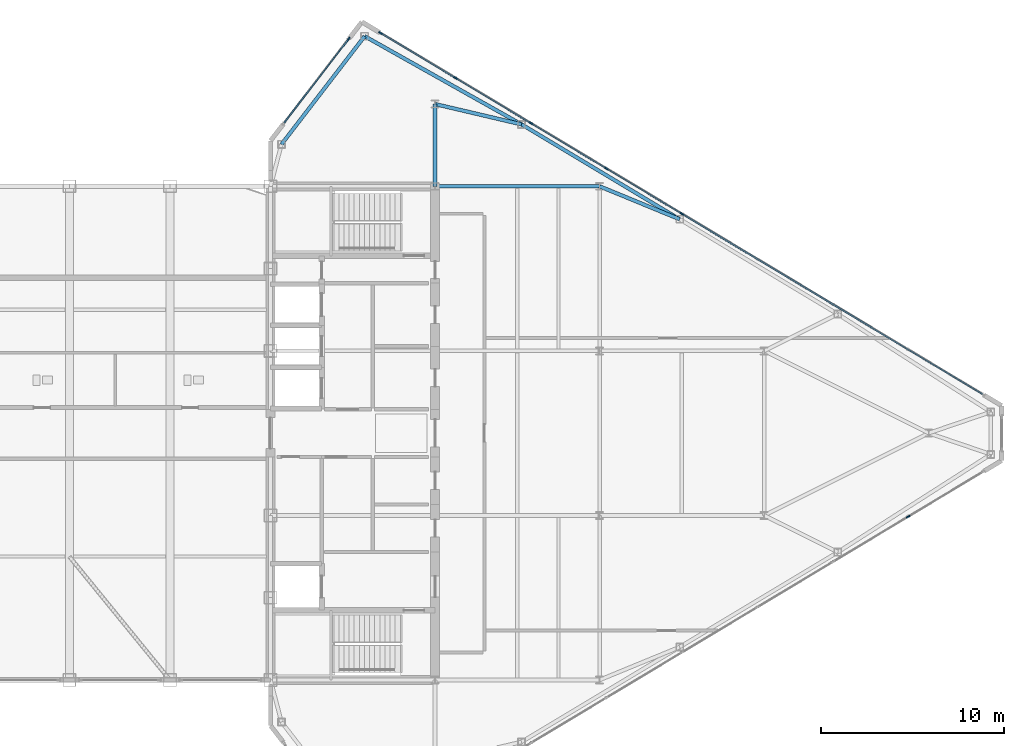
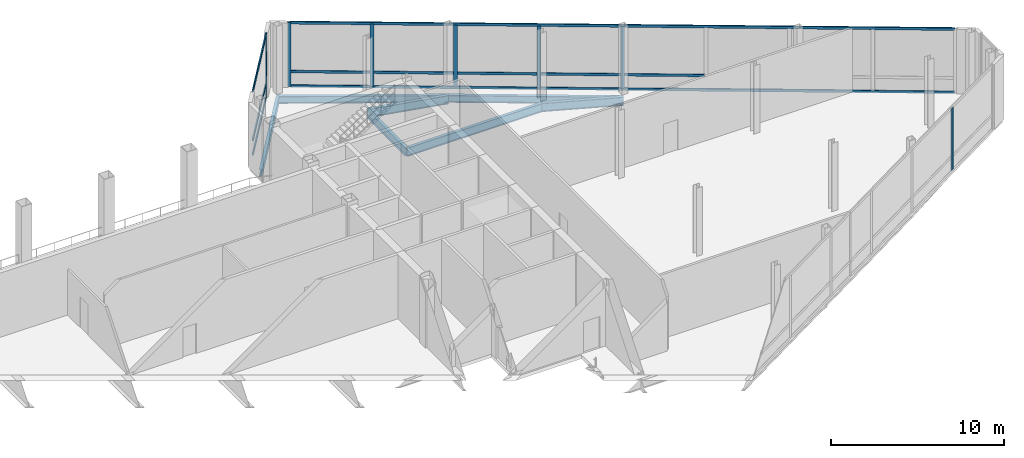
# One storey, part 17 of 28: 17 members, 7 beams, 3 elements without a shape of their own.
"""IFC4 building model written with IfcOpenShell, lengths in metres."""

from ifc_helpers import new_model, si_unit, direction, frame, origin, origin_2d, place, context, subcontext, project, spatial, rectangle, i_section, extrude, source, transform, mapped, material, layer, layer_set, material_profile, profile_set, type_object, type_shapes, element, aggregate, save


model = new_model("IFC4")

# Units and contexts
model_context = context("Model", 3, precision=1e-05, world=origin(), true_north=direction((0.0, 1.0)))
body_context = subcontext(model_context, "Body", "Model", "MODEL_VIEW")
ifc_project = project(units=[si_unit("LENGTHUNIT", "METRE"), si_unit("AREAUNIT", "SQUARE_METRE"), si_unit("VOLUMEUNIT", "CUBIC_METRE"), si_unit("PLANEANGLEUNIT", "RADIAN"), si_unit("MASSUNIT", "GRAM", prefix="KILO")], contexts=[model_context])

# Site, building, storey
site_placement = place(None, origin())
site = spatial("IfcSite", under=ifc_project, at=site_placement, CompositionType="ELEMENT")
building_placement = place(site_placement, origin())
building = spatial("IfcBuilding", under=site, at=building_placement, Name="Seokmaru Belvedere", CompositionType="ELEMENT")
storey_placement = place(building_placement, frame((0.0, 0.0, 274.199951171875)))
storey = spatial("IfcBuildingStorey", under=building, at=storey_placement, Name="L72", CompositionType="ELEMENT", Elevation=274.199951171875)

# Beams
ifc_material_1 = material(Name="Steel SM355 (355 MPa)", Category="steel")
ifc_material_profile_1 = material_profile(ifc_material_1, i_section(OverallWidth=0.199951171875, OverallDepth=0.60009765625, WebThickness=0.010986328125, FlangeThickness=0.01708984375, at=origin_2d()), Name="H-600x200x11x17")
ifc_profile_set_1 = profile_set([ifc_material_profile_1], Name="Steel SM355 (355 MPa)")
beam_type_1 = type_object("IfcBeamType", Name="Primary Floor Girder H-600", PredefinedType="BEAM", material=ifc_profile_set_1)
shared_shape_1 = source(origin(), body_context, "Body", "SweptSolid", [
    extrude(i_section(OverallWidth=0.199951171875, OverallDepth=0.60009765625, WebThickness=0.010986328125, FlangeThickness=0.01708984375, at=origin_2d()), origin(), (0.0, 0.0, 1.0), 9.0),
])
beam_1_placement = place(storey_placement, frame((36.5, 13.5, -0.56005859375), z_axis=(1.0, 0.0, 0.0), x_axis=(0.0, 1.0, 0.0)))
element("IfcBeam", 1, at=beam_1_placement, inside=storey, type_object=beam_type_1, Name="L72 E Wing Primary Girder 4", PredefinedType="BEAM", context=body_context, shape_type="MappedRepresentation", body=[
    mapped(shared_shape_1, transform((0.0, 0.0, 0.0), scale=1.0)),
])
shared_shape_2 = source(origin(), body_context, "Body", "SweptSolid", [
    extrude(i_section(OverallWidth=0.199951171875, OverallDepth=0.60009765625, WebThickness=0.010986328125, FlangeThickness=0.01708984375, at=origin_2d()), origin(), (0.0, 0.0, 1.0), 4.5),
])
beam_2_placement = place(storey_placement, frame((36.5, 13.5, -0.56005859375), z_axis=(0.0, 1.0, 0.0), x_axis=(-1.0, 0.0, 0.0)))
element("IfcBeam", 2, at=beam_2_placement, inside=storey, type_object=beam_type_1, Name="L72 E Core Shoulder Girder N", PredefinedType="BEAM", context=body_context, shape_type="MappedRepresentation", body=[
    mapped(shared_shape_2, transform((0.0, 0.0, 0.0), scale=1.0)),
])
ifc_material_profile_2 = material_profile(ifc_material_1, i_section(OverallWidth=0.199951171875, OverallDepth=0.5, WebThickness=0.010009765625, FlangeThickness=0.01611328125, at=origin_2d()), Name="H-500x200x10x16")
ifc_profile_set_2 = profile_set([ifc_material_profile_2], Name="Steel SM355 (355 MPa)")
beam_type_2 = type_object("IfcBeamType", Name="Perimeter Spandrel Beam H-500", PredefinedType="SPANDREL", material=ifc_profile_set_2)
shared_shape_3 = source(origin(), body_context, "Body", "SweptSolid", [
    extrude(i_section(OverallWidth=0.199951171875, OverallDepth=0.5, WebThickness=0.010009765625, FlangeThickness=0.01611328125, at=origin_2d()), origin(), (0.0, 0.0, 1.0), 9.842041015625),
])
beam_3_placement = place(storey_placement, frame((32.649658203125, 21.71044921875, -0.510009765625), z_axis=(0.871782151818, -0.489893743349, 0.0), x_axis=(0.489893743349, 0.871782151818, 0.0)))
element("IfcBeam", 3, at=beam_3_placement, inside=storey, type_object=beam_type_2, Name="L72 E Faceted Flank Spandrel N-1", PredefinedType="SPANDREL", context=body_context, shape_type="MappedRepresentation", body=[
    mapped(shared_shape_3, transform((0.0, 0.0, 0.0), scale=1.0)),
])
shared_shape_4 = source(origin(), body_context, "Body", "SweptSolid", [
    extrude(i_section(OverallWidth=0.199951171875, OverallDepth=0.5, WebThickness=0.010009765625, FlangeThickness=0.01611328125, at=origin_2d()), origin(), (0.0, 0.0, 1.0), 10.087646484375),
])
beam_4_placement = place(storey_placement, frame((41.229736328125, 16.888916015625, -0.510009765625), z_axis=(0.857499332045, -0.514485078056, 0.0), x_axis=(0.514485078056, 0.857499332045, 0.0)))
element("IfcBeam", 4, at=beam_4_placement, inside=storey, type_object=beam_type_2, Name="L72 E Faceted Flank Spandrel N-2", PredefinedType="SPANDREL", context=body_context, shape_type="MappedRepresentation", body=[
    mapped(shared_shape_4, transform((0.0, 0.0, 0.0), scale=1.0)),
])
shared_shape_5 = source(origin(), body_context, "Body", "SweptSolid", [
    extrude(i_section(OverallWidth=0.199951171875, OverallDepth=0.5, WebThickness=0.010009765625, FlangeThickness=0.01611328125, at=origin_2d()), origin(), (0.0, 0.0, 1.0), 7.4619140625),
])
type_shapes(beam_type_2, [shared_shape_3, shared_shape_4, shared_shape_5])
beam_5_placement = place(storey_placement, frame((32.649658203125, 21.71044921875, -0.510009765625), z_axis=(-0.609702854945, -0.792630070507, 0.0), x_axis=(0.792630070507, -0.609702854945, 0.0)))
element("IfcBeam", 5, at=beam_5_placement, inside=storey, type_object=beam_type_2, Name="L72 E Shoulder Chamfer Spandrel N", PredefinedType="SPANDREL", context=body_context, shape_type="MappedRepresentation", body=[
    mapped(shared_shape_5, transform((0.0, 0.0, 0.0), scale=1.0)),
])
shared_shape_6 = source(origin(), body_context, "Body", "SweptSolid", [
    extrude(i_section(OverallWidth=0.199951171875, OverallDepth=0.60009765625, WebThickness=0.010986328125, FlangeThickness=0.01708984375, at=origin_2d()), origin(), (0.0, 0.0, 1.0), 4.8583984375),
])
beam_6_placement = place(storey_placement, frame((41.229736328125, 16.888916015625, -0.56005859375), z_axis=(-0.97349948295, 0.228689214211, 0.0), x_axis=(-0.228689214211, -0.97349948295, 0.0)))
element("IfcBeam", 6, at=beam_6_placement, inside=storey, type_object=beam_type_1, Name="L72 E Flank Radial Floor Girder N-1", PredefinedType="BEAM", context=body_context, shape_type="MappedRepresentation", body=[
    mapped(shared_shape_6, transform((0.0, 0.0, 0.0), scale=1.0)),
])
shared_shape_7 = source(origin(), body_context, "Body", "SweptSolid", [
    extrude(i_section(OverallWidth=0.199951171875, OverallDepth=0.60009765625, WebThickness=0.010986328125, FlangeThickness=0.01708984375, at=origin_2d()), origin(), (0.0, 0.0, 1.0), 4.73583984375),
])
type_shapes(beam_type_1, [shared_shape_1, shared_shape_2, shared_shape_6, shared_shape_7])
beam_7_placement = place(storey_placement, frame((49.8798828125, 11.698974609375, -0.56005859375), z_axis=(-0.924860562953, 0.380306375301, 0.0), x_axis=(-0.380306375301, -0.924860562953, 0.0)))
element("IfcBeam", 7, at=beam_7_placement, inside=storey, type_object=beam_type_1, Name="L72 E Flank Radial Floor Girder N-2", PredefinedType="BEAM", context=body_context, shape_type="MappedRepresentation", body=[
    mapped(shared_shape_7, transform((0.0, 0.0, 0.0), scale=1.0)),
])

# Curtain wall, members
ifc_material_2 = material(Name="Bronze Triple Insulating Glass", Category="glass")
ifc_layer = layer(ifc_material_2, 0.219970703125)
ifc_layer_set = layer_set([ifc_layer], Name="Bronze Triple Insulating Glass")
curtain_wall_type = type_object("IfcCurtainWallType", Name="Sky-Gate Bridge Panorama Curtain Wall System CW-6", PredefinedType="NOTDEFINED", material=ifc_layer_set)
curtain_wall_1_placement = place(storey_placement, origin())
curtain_wall_1 = element("IfcCurtainWall", 8, at=curtain_wall_1_placement, inside=storey, type_object=curtain_wall_type, Name="L72 Curtain Wall EF4", PredefinedType="NOTDEFINED")
ifc_material_3 = material(Name="Anodised Bronze Aluminium", Category="aluminium")
ifc_material_profile_3 = material_profile(ifc_material_3, rectangle(XDim=0.074951171875, YDim=0.179931640625, at=origin_2d()), Name="CW-T-75x180")
ifc_profile_set_3 = profile_set([ifc_material_profile_3], Name="Anodised Bronze Aluminium")
member_type_1 = type_object("IfcMemberType", Name="Bronze Unitised Transom 75x180", PredefinedType="USERDEFINED", material=ifc_profile_set_3)
shared_shape_8 = source(origin(), body_context, "Body", "SweptSolid", [
    extrude(rectangle(XDim=0.074951171875, YDim=0.179931640625, at=origin_2d()), origin(), (0.0, 0.0, 1.0), 5.74072265625),
])
member_1_placement = place(storey_placement, frame((31.75, 21.525146484375, 0.03759765625), z_axis=(-0.609686097287, -0.792642960465, 0.0), x_axis=(0.792642960465, -0.609686097287, 0.0)))
member_1 = element("IfcMember", 9, at=member_1_placement, type_object=member_type_1, Name="CW:L72:EF4 Continuous Transom 1", ObjectType="TRANSOM", PredefinedType="USERDEFINED", context=body_context, shape_type="MappedRepresentation", body=[
    mapped(shared_shape_8, transform((0.0, 0.0, 0.0), scale=1.0)),
])
member_2_placement = place(storey_placement, frame((31.75, 21.525146484375, 4.482666015625), z_axis=(-0.609686097287, -0.792642960465, 0.0), x_axis=(0.792642960465, -0.609686097287, 0.0)))
member_2 = element("IfcMember", 10, at=member_2_placement, type_object=member_type_1, Name="CW:L72:EF4 Continuous Transom 2", ObjectType="TRANSOM", PredefinedType="USERDEFINED", context=body_context, shape_type="MappedRepresentation", body=[
    mapped(shared_shape_8, transform((0.0, 0.0, 0.0), scale=1.0)),
])
member_3_placement = place(storey_placement, frame((31.75, 21.525146484375, 1.050048828125), z_axis=(-0.609686097287, -0.792642960465, 0.0), x_axis=(0.792642960465, -0.609686097287, 0.0)))
member_3 = element("IfcMember", 11, at=member_3_placement, type_object=member_type_1, Name="CW:L72:EF4 Spandrel Transom 1", ObjectType="TRANSOM", PredefinedType="USERDEFINED", context=body_context, shape_type="MappedRepresentation", body=[
    mapped(shared_shape_8, transform((0.0, 0.0, 0.0), scale=1.0)),
])

curtain_wall_2_placement = place(storey_placement, origin())
curtain_wall_2 = element("IfcCurtainWall", 12, at=curtain_wall_2_placement, inside=storey, type_object=curtain_wall_type, Name="L72 Curtain Wall EF3", PredefinedType="NOTDEFINED")
shared_shape_9 = source(origin(), body_context, "Body", "SweptSolid", [
    extrude(rectangle(XDim=0.074951171875, YDim=0.179931640625, at=origin_2d()), origin(), (0.0, 0.0, 1.0), 38.356689453125),
])
member_4_placement = place(storey_placement, frame((66.4453125, 2.1328125, 0.03759765625), z_axis=(-0.857492925713, 0.514495755428, 0.0), x_axis=(-0.514495755428, -0.857492925713, 0.0)))
member_4 = element("IfcMember", 13, at=member_4_placement, type_object=member_type_1, Name="CW:L72:EF3 Continuous Transom 1", ObjectType="TRANSOM", PredefinedType="USERDEFINED", context=body_context, shape_type="MappedRepresentation", body=[
    mapped(shared_shape_9, transform((0.0, 0.0, 0.0), scale=1.0)),
])
member_5_placement = place(storey_placement, frame((66.4453125, 2.1328125, 4.482666015625), z_axis=(-0.857492925713, 0.514495755428, 0.0), x_axis=(-0.514495755428, -0.857492925713, 0.0)))
member_5 = element("IfcMember", 14, at=member_5_placement, type_object=member_type_1, Name="CW:L72:EF3 Continuous Transom 2", ObjectType="TRANSOM", PredefinedType="USERDEFINED", context=body_context, shape_type="MappedRepresentation", body=[
    mapped(shared_shape_9, transform((0.0, 0.0, 0.0), scale=1.0)),
])
shared_shape_10 = source(origin(), body_context, "Body", "SweptSolid", [
    extrude(rectangle(XDim=0.074951171875, YDim=0.179931640625, at=origin_2d()), origin(), (0.0, 0.0, 1.0), 4.694580078125),
])
member_6_placement = place(storey_placement, frame((37.580322265625, 19.451904296875, 1.050048828125), z_axis=(-0.85750210284, 0.514480459906, 0.0), x_axis=(-0.514480459906, -0.85750210284, 0.0)))
member_6 = element("IfcMember", 15, at=member_6_placement, type_object=member_type_1, Name="CW:L72:EF3 Spandrel Transom 8", ObjectType="TRANSOM", PredefinedType="USERDEFINED", context=body_context, shape_type="MappedRepresentation", body=[
    mapped(shared_shape_10, transform((0.0, 0.0, 0.0), scale=1.0)),
])
shared_shape_11 = source(origin(), body_context, "Body", "SweptSolid", [
    extrude(rectangle(XDim=0.074951171875, YDim=0.179931640625, at=origin_2d()), origin(), (0.0, 0.0, 1.0), 4.734619140625),
])
member_7_placement = place(storey_placement, frame((41.708740234375, 16.974609375, 1.050048828125), z_axis=(-0.857479275774, 0.514518504641, 0.0), x_axis=(-0.514518504641, -0.857479275774, 0.0)))
member_7 = element("IfcMember", 16, at=member_7_placement, type_object=member_type_1, Name="CW:L72:EF3 Spandrel Transom 7", ObjectType="TRANSOM", PredefinedType="USERDEFINED", context=body_context, shape_type="MappedRepresentation", body=[
    mapped(shared_shape_11, transform((0.0, 0.0, 0.0), scale=1.0)),
])
shared_shape_12 = source(origin(), body_context, "Body", "SweptSolid", [
    extrude(rectangle(XDim=0.074951171875, YDim=0.179931640625, at=origin_2d()), origin(), (0.0, 0.0, 1.0), 4.734375),
])
member_8_placement = place(storey_placement, frame((45.837158203125, 14.497802734375, 1.050048828125), z_axis=(-0.857502025578, 0.514480588682, 0.0), x_axis=(-0.514480588682, -0.857502025578, 0.0)))
member_8 = element("IfcMember", 17, at=member_8_placement, type_object=member_type_1, Name="CW:L72:EF3 Spandrel Transom 6", ObjectType="TRANSOM", PredefinedType="USERDEFINED", context=body_context, shape_type="MappedRepresentation", body=[
    mapped(shared_shape_12, transform((0.0, 0.0, 0.0), scale=1.0)),
])
shared_shape_13 = source(origin(), body_context, "Body", "SweptSolid", [
    extrude(rectangle(XDim=0.074951171875, YDim=0.179931640625, at=origin_2d()), origin(), (0.0, 0.0, 1.0), 4.73486328125),
])
type_shapes(member_type_1, [shared_shape_8, shared_shape_9, shared_shape_10, shared_shape_11, shared_shape_12, shared_shape_13])
member_9_placement = place(storey_placement, frame((54.09423828125, 9.54345703125, 1.050048828125), z_axis=(-0.857492925713, 0.514495755428, 0.0), x_axis=(-0.514495755428, -0.857492925713, 0.0)))
member_9 = element("IfcMember", 18, at=member_9_placement, type_object=member_type_1, Name="CW:L72:EF3 Spandrel Transom 4", ObjectType="TRANSOM", PredefinedType="USERDEFINED", context=body_context, shape_type="MappedRepresentation", body=[
    mapped(shared_shape_13, transform((0.0, 0.0, 0.0), scale=1.0)),
])
member_10_placement = place(storey_placement, frame((49.9658203125, 12.0205078125, 1.050048828125), z_axis=(-0.857492925713, 0.514495755428, 0.0), x_axis=(-0.514495755428, -0.857492925713, 0.0)))
member_10 = element("IfcMember", 19, at=member_10_placement, type_object=member_type_1, Name="CW:L72:EF3 Spandrel Transom 5", ObjectType="TRANSOM", PredefinedType="USERDEFINED", context=body_context, shape_type="MappedRepresentation", body=[
    mapped(shared_shape_13, transform((0.0, 0.0, 0.0), scale=1.0)),
])
ifc_material_profile_4 = material_profile(ifc_material_3, rectangle(XDim=0.080078125, YDim=0.219970703125, at=origin_2d()), Name="CW-M-80x220")
ifc_profile_set_4 = profile_set([ifc_material_profile_4], Name="Anodised Bronze Aluminium")
member_type_2 = type_object("IfcMemberType", Name="Bronze Unitised Mullion 80x220", PredefinedType="MULLION", material=ifc_profile_set_4)
shared_shape_14 = source(origin(), body_context, "Body", "SweptSolid", [
    extrude(rectangle(XDim=0.080078125, YDim=0.219970703125, at=origin_2d()), origin(), (0.0, 0.0, 1.0), 4.52001953125),
])
member_11_placement = place(storey_placement, frame((33.5205078125, 21.8876953125, 0.0), z_axis=(0.0, 0.0, 1.0), x_axis=(-0.514494909364, -0.85749343335, 0.0)))
member_11 = element("IfcMember", 20, at=member_11_placement, type_object=member_type_2, Name="CW:L72:EF3 Mullion 9", PredefinedType="MULLION", context=body_context, shape_type="MappedRepresentation", body=[
    mapped(shared_shape_14, transform((0.0, 0.0, 0.0), scale=1.0)),
])

# Member
member_12_placement = place(storey_placement, frame((31.7744140625, 21.556884765625, 0.0), z_axis=(0.0, 0.0, 1.0), x_axis=(0.792631353244, -0.609701187349, 0.0)))
member_12 = element("IfcMember", 21, at=member_12_placement, type_object=member_type_2, Name="CW:L72:EF4 Mullion 1", PredefinedType="MULLION", context=body_context, shape_type="MappedRepresentation", body=[
    mapped(shared_shape_14, transform((0.0, 0.0, 0.0), scale=1.0)),
])

aggregate(curtain_wall_1, [member_12, member_1, member_2, member_3])

# Curtain wall, member
curtain_wall_3_placement = place(storey_placement, origin())
curtain_wall_3 = element("IfcCurtainWall", 22, at=curtain_wall_3_placement, inside=storey, type_object=curtain_wall_type, Name="L72 Curtain Wall EF1", PredefinedType="NOTDEFINED")
shared_shape_15 = source(origin(), body_context, "Body", "SweptSolid", [
    extrude(rectangle(XDim=0.080078125, YDim=0.219970703125, at=origin_2d()), origin(), (0.0, 0.0, 1.0), 4.3701171875),
])
type_shapes(member_type_2, [shared_shape_14, shared_shape_15])
member_13_placement = place(storey_placement, frame((62.385498046875, -4.56884765625, 0.074951171875), z_axis=(0.0, 0.0, 1.0), x_axis=(-0.514494909364, 0.85749343335, 0.0)))
member_13 = element("IfcMember", 23, at=member_13_placement, type_object=member_type_2, Name="CW:L72:EF1 Mullion 8", PredefinedType="MULLION", context=body_context, shape_type="MappedRepresentation", body=[
    mapped(shared_shape_15, transform((0.0, 0.0, 0.0), scale=1.0)),
])
aggregate(curtain_wall_3, [member_13])

# Member
member_14_placement = place(storey_placement, frame((50.0, 12.0, 0.074951171875), z_axis=(0.0, 0.0, 1.0), x_axis=(-0.514494909364, -0.85749343335, 0.0)))
member_14 = element("IfcMember", 24, at=member_14_placement, type_object=member_type_2, Name="CW:L72:EF3 Mullion 5", PredefinedType="MULLION", context=body_context, shape_type="MappedRepresentation", body=[
    mapped(shared_shape_15, transform((0.0, 0.0, 0.0), scale=1.0)),
])

member_15_placement = place(storey_placement, frame((45.87158203125, 14.47705078125, 0.074951171875), z_axis=(0.0, 0.0, 1.0), x_axis=(-0.514494909364, -0.85749343335, 0.0)))
member_15 = element("IfcMember", 25, at=member_15_placement, type_object=member_type_2, Name="CW:L72:EF3 Mullion 6", PredefinedType="MULLION", context=body_context, shape_type="MappedRepresentation", body=[
    mapped(shared_shape_15, transform((0.0, 0.0, 0.0), scale=1.0)),
])

member_16_placement = place(storey_placement, frame((41.742919921875, 16.9541015625, 0.074951171875), z_axis=(0.0, 0.0, 1.0), x_axis=(-0.514494909364, -0.85749343335, 0.0)))
member_16 = element("IfcMember", 26, at=member_16_placement, type_object=member_type_2, Name="CW:L72:EF3 Mullion 7", PredefinedType="MULLION", context=body_context, shape_type="MappedRepresentation", body=[
    mapped(shared_shape_15, transform((0.0, 0.0, 0.0), scale=1.0)),
])

member_17_placement = place(storey_placement, frame((37.614501953125, 19.43115234375, 0.074951171875), z_axis=(0.0, 0.0, 1.0), x_axis=(-0.514494909364, -0.85749343335, 0.0)))
member_17 = element("IfcMember", 27, at=member_17_placement, type_object=member_type_2, Name="CW:L72:EF3 Mullion 8", PredefinedType="MULLION", context=body_context, shape_type="MappedRepresentation", body=[
    mapped(shared_shape_15, transform((0.0, 0.0, 0.0), scale=1.0)),
])

aggregate(curtain_wall_2, [member_14, member_15, member_16, member_17, member_11, member_4, member_5, member_9, member_10, member_8, member_7, member_6])

save(model, "model.ifc")
